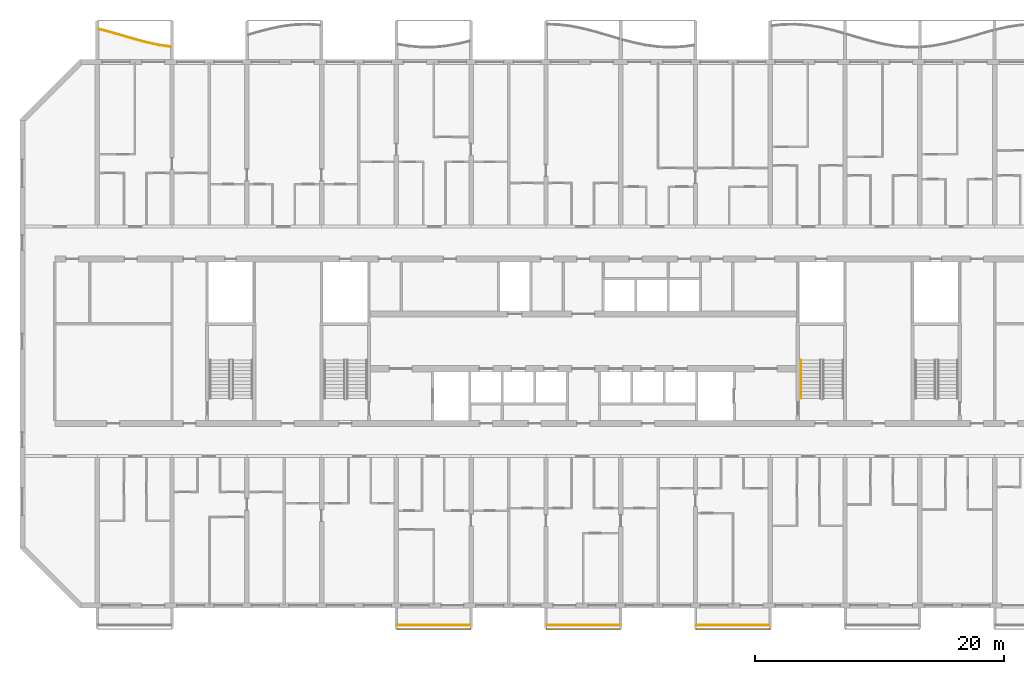
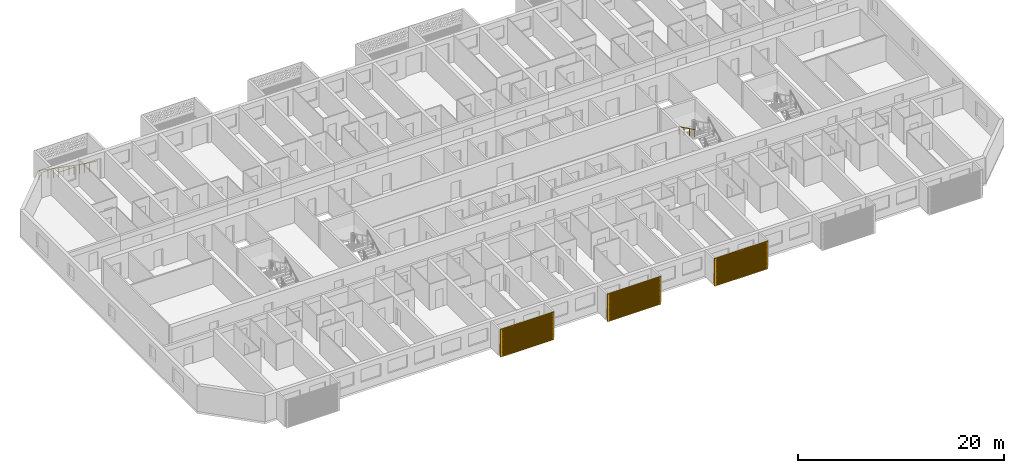
# One storey, part 18 of 30: 5 railings, 3 shading devices.
"""IFC4 building model written with IfcOpenShell, lengths in metres."""

from ifc_helpers import new_model, si_unit, direction, frame, origin, origin_2d, place, context, subcontext, project, spatial, polyline, circle, outline, extrude, source, transform, mapped, material, material_profile, profile_set, type_object, element, save


model = new_model("IFC4")

# Units and contexts
model_context = context("Model", 3, precision=1e-05, world=origin(), true_north=direction((0.0, 1.0)))
body_context = subcontext(model_context, "Body", "Model", "MODEL_VIEW")
ifc_project = project(units=[si_unit("LENGTHUNIT", "METRE"), si_unit("AREAUNIT", "SQUARE_METRE"), si_unit("VOLUMEUNIT", "CUBIC_METRE"), si_unit("PLANEANGLEUNIT", "RADIAN"), si_unit("MASSUNIT", "GRAM", prefix="KILO")], contexts=[model_context])

# Site, building, storey
site_placement = place(None, origin())
site = spatial("IfcSite", under=ifc_project, at=site_placement, CompositionType="ELEMENT")
building_placement = place(site_placement, origin())
building = spatial("IfcBuilding", under=site, at=building_placement, Name="Poui Terraces", CompositionType="ELEMENT")
storey_placement = place(building_placement, frame((0.0, 0.0, 99.300048828125)))
storey = spatial("IfcBuildingStorey", under=building, at=storey_placement, Name="L27", CompositionType="ELEMENT", Elevation=99.300048828125)

# Railings
ifc_material_1 = material(Name="Painted steel fretwork", Category="steel")
railing_type_1 = type_object("IfcRailingType", Name="BALCONY GUARD 1100", PredefinedType="GUARDRAIL", material=ifc_material_1)
railing_1_placement = place(storey_placement, frame((12.125, 46.24072265625, 0.0)))
element("IfcRailing", 1, at=railing_1_placement, inside=storey, type_object=railing_type_1, Name="BALCONY GUARD", PredefinedType="GUARDRAIL", context=body_context, shape_type="SweptSolid", body=[
    extrude(circle(Radius=0.02392578125, at=origin_2d()), frame((0.0, 0.0, 1.076171875), z_axis=(0.967350168879, -0.253443584983, 0.0), x_axis=(0.253443584983, 0.967350168879, 0.0)), (0.0, 0.0, 1.0), 0.904541015625),
    extrude(circle(Radius=0.02392578125, at=origin_2d()), frame((0.875, -0.229248046875, 1.076171875), z_axis=(0.95997899776, -0.280071997637, 0.0), x_axis=(0.280071997637, 0.95997899776, 0.0)), (0.0, 0.0, 1.0), 1.041748046875),
    extrude(circle(Radius=0.02392578125, at=origin_2d()), frame((1.875, -0.52099609375, 1.076171875), z_axis=(0.959410247021, -0.282014144876, 0.0), x_axis=(0.282014144876, 0.959410247021, 0.0)), (0.0, 0.0, 1.0), 1.042236328125),
    extrude(circle(Radius=0.02392578125, at=origin_2d()), frame((2.875, -0.81494140625, 1.076171875), z_axis=(0.966309295868, -0.257383652781, 0.0), x_axis=(0.257383652781, 0.966309295868, 0.0)), (0.0, 0.0, 1.0), 1.034912109375),
    extrude(circle(Radius=0.02392578125, at=origin_2d()), frame((3.875, -1.081298828125, 1.076171875), z_axis=(0.978372019246, -0.206853068522, 0.0), x_axis=(0.206853068522, 0.978372019246, 0.0)), (0.0, 0.0, 1.0), 1.022216796875),
    extrude(circle(Radius=0.02392578125, at=origin_2d()), frame((4.875, -1.292724609375, 1.076171875), z_axis=(0.990370561687, -0.138441867021, 0.0), x_axis=(0.138441867021, 0.990370561687, 0.0)), (0.0, 0.0, 1.0), 0.883544921875),
    extrude(circle(Radius=0.02099609375, at=origin_2d()), origin(), (0.0, 0.0, 1.0), 1.052001953125),
    extrude(circle(Radius=0.02099609375, at=origin_2d()), frame((0.875, -0.229248046875, 0.0)), (0.0, 0.0, 1.0), 1.052001953125),
    extrude(circle(Radius=0.02099609375, at=origin_2d()), frame((1.375, -0.375, 0.0)), (0.0, 0.0, 1.0), 1.052001953125),
    extrude(circle(Radius=0.02099609375, at=origin_2d()), frame((1.875, -0.52099609375, 0.0)), (0.0, 0.0, 1.0), 1.052001953125),
    extrude(circle(Radius=0.02099609375, at=origin_2d()), frame((2.375, -0.66796875, 0.0)), (0.0, 0.0, 1.0), 1.052001953125),
    extrude(circle(Radius=0.02099609375, at=origin_2d()), frame((2.875, -0.81494140625, 0.0)), (0.0, 0.0, 1.0), 1.052001953125),
    extrude(circle(Radius=0.02099609375, at=origin_2d()), frame((3.375, -0.9482421875, 0.0)), (0.0, 0.0, 1.0), 1.052001953125),
    extrude(circle(Radius=0.02099609375, at=origin_2d()), frame((3.875, -1.081298828125, 0.0)), (0.0, 0.0, 1.0), 1.052001953125),
    extrude(circle(Radius=0.02099609375, at=origin_2d()), frame((4.375, -1.18701171875, 0.0)), (0.0, 0.0, 1.0), 1.052001953125),
    extrude(circle(Radius=0.02099609375, at=origin_2d()), frame((4.875, -1.292724609375, 0.0)), (0.0, 0.0, 1.0), 1.052001953125),
    extrude(circle(Radius=0.02099609375, at=origin_2d()), frame((5.75, -1.4150390625, 0.0)), (0.0, 0.0, 1.0), 1.052001953125),
])
for number, where, name in (
    (2, (36.10009765625, -1.570068359375, 0.0), "BALCONY GUARD"),
    (3, (48.10009765625, -1.570068359375, 0.0), "BALCONY GUARD"),
    (4, (60.10009765625, -1.570068359375, 0.0), "BALCONY GUARD"),
):
    element("IfcRailing", number, at=place(storey_placement, frame(where)), inside=storey, type_object=railing_type_1, Name=name, PredefinedType="GUARDRAIL", context=body_context, shape_type="SweptSolid", body=[
        extrude(circle(Radius=0.02392578125, at=origin_2d()), frame((0.0, 0.0, 1.076171875), z_axis=(1.0, 0.0, 0.0), x_axis=(0.0, 1.0, 0.0)), (0.0, 0.0, 1.0), 5.7998046875),
        extrude(circle(Radius=0.02099609375, at=origin_2d()), origin(), (0.0, 0.0, 1.0), 1.052001953125),
        extrude(circle(Radius=0.02099609375, at=origin_2d()), frame((0.966552734375, 0.0, 0.0)), (0.0, 0.0, 1.0), 1.052001953125),
        extrude(circle(Radius=0.02099609375, at=origin_2d()), frame((1.933349609375, 0.0, 0.0)), (0.0, 0.0, 1.0), 1.052001953125),
        extrude(circle(Radius=0.02099609375, at=origin_2d()), frame((2.89990234375, 0.0, 0.0)), (0.0, 0.0, 1.0), 1.052001953125),
        extrude(circle(Radius=0.02099609375, at=origin_2d()), frame((3.866455078125, 0.0, 0.0)), (0.0, 0.0, 1.0), 1.052001953125),
        extrude(circle(Radius=0.02099609375, at=origin_2d()), frame((4.833251953125, 0.0, 0.0)), (0.0, 0.0, 1.0), 1.052001953125),
        extrude(circle(Radius=0.02099609375, at=origin_2d()), frame((5.7998046875, 0.0, 0.0)), (0.0, 0.0, 1.0), 1.052001953125),
    ])
ifc_material_2 = material(Name="Stainless steel handrail", Category="steel")
railing_type_2 = type_object("IfcRailingType", Name="STAIR HANDRAIL 900", PredefinedType="HANDRAIL", material=ifc_material_2)
railing_2_placement = place(storey_placement, frame((68.47509765625, 19.679931640625, 1.787353515625)))
element("IfcRailing", 5, at=railing_2_placement, inside=storey, type_object=railing_type_2, Name="L27 ST-CE stair handrail 2", PredefinedType="HANDRAIL", context=body_context, shape_type="SweptSolid", body=[
    extrude(circle(Radius=0.02392578125, at=origin_2d()), frame((0.0, 0.0, 0.8759765625), z_axis=(0.0, -0.897578036475, 0.440855609512), x_axis=(1.0, 0.0, 0.0)), (0.0, 0.0, 1.0), 3.43115234375),
    extrude(circle(Radius=0.02099609375, at=origin_2d()), origin(), (0.0, 0.0, 1.0), 0.851806640625),
    extrude(circle(Radius=0.02099609375, at=origin_2d()), frame((0.0, -1.026611328125, 0.504150390625)), (0.0, 0.0, 1.0), 0.851806640625),
    extrude(circle(Radius=0.02099609375, at=origin_2d()), frame((0.0, -2.05322265625, 1.008544921875)), (0.0, 0.0, 1.0), 0.851806640625),
    extrude(circle(Radius=0.02099609375, at=origin_2d()), frame((0.0, -3.079833984375, 1.5126953125)), (0.0, 0.0, 1.0), 0.851806640625),
])

# Shading devices
ifc_material_3 = material(Name="Aluminium louvre", Category="aluminium")
ifc_material_profile = material_profile(ifc_material_3, outline(polyline([(-3.0, -1.64990234375), (3.0, -1.64990234375), (3.0, 1.64990234375), (-3.0, 1.64990234375), (-3.0, -1.64990234375)]), holes=[polyline([(-2.800048828125, -1.530029296875), (2.800048828125, -1.530029296875), (2.800048828125, -1.469970703125), (-2.800048828125, -1.469970703125), (-2.800048828125, -1.530029296875)]), polyline([(-2.800048828125, -1.429931640625), (2.800048828125, -1.429931640625), (2.800048828125, -1.3701171875), (-2.800048828125, -1.3701171875), (-2.800048828125, -1.429931640625)]), polyline([(-2.800048828125, -1.330078125), (2.800048828125, -1.330078125), (2.800048828125, -1.27001953125), (-2.800048828125, -1.27001953125), (-2.800048828125, -1.330078125)]), polyline([(-2.800048828125, -1.22998046875), (2.800048828125, -1.22998046875), (2.800048828125, -1.169921875), (-2.800048828125, -1.169921875), (-2.800048828125, -1.22998046875)]), polyline([(-2.800048828125, -1.1298828125), (2.800048828125, -1.1298828125), (2.800048828125, -1.070068359375), (-2.800048828125, -1.070068359375), (-2.800048828125, -1.1298828125)]), polyline([(-2.800048828125, -1.030029296875), (2.800048828125, -1.030029296875), (2.800048828125, -0.969970703125), (-2.800048828125, -0.969970703125), (-2.800048828125, -1.030029296875)]), polyline([(-2.800048828125, -0.929931640625), (2.800048828125, -0.929931640625), (2.800048828125, -0.8701171875), (-2.800048828125, -0.8701171875), (-2.800048828125, -0.929931640625)]), polyline([(-2.800048828125, -0.830078125), (2.800048828125, -0.830078125), (2.800048828125, -0.77001953125), (-2.800048828125, -0.77001953125), (-2.800048828125, -0.830078125)]), polyline([(-2.800048828125, -0.72998046875), (2.800048828125, -0.72998046875), (2.800048828125, -0.669921875), (-2.800048828125, -0.669921875), (-2.800048828125, -0.72998046875)]), polyline([(-2.800048828125, -0.6298828125), (2.800048828125, -0.6298828125), (2.800048828125, -0.570068359375), (-2.800048828125, -0.570068359375), (-2.800048828125, -0.6298828125)]), polyline([(-2.800048828125, -0.530029296875), (2.800048828125, -0.530029296875), (2.800048828125, -0.469970703125), (-2.800048828125, -0.469970703125), (-2.800048828125, -0.530029296875)]), polyline([(-2.800048828125, -0.429931640625), (2.800048828125, -0.429931640625), (2.800048828125, -0.3701171875), (-2.800048828125, -0.3701171875), (-2.800048828125, -0.429931640625)]), polyline([(-2.800048828125, -0.330078125), (2.800048828125, -0.330078125), (2.800048828125, -0.27001953125), (-2.800048828125, -0.27001953125), (-2.800048828125, -0.330078125)]), polyline([(-2.800048828125, -0.22998046875), (2.800048828125, -0.22998046875), (2.800048828125, -0.169921875), (-2.800048828125, -0.169921875), (-2.800048828125, -0.22998046875)]), polyline([(-2.800048828125, -0.1298828125), (2.800048828125, -0.1298828125), (2.800048828125, -0.070068359375), (-2.800048828125, -0.070068359375), (-2.800048828125, -0.1298828125)]), polyline([(-2.800048828125, -0.030029296875), (2.800048828125, -0.030029296875), (2.800048828125, 0.030029296875), (-2.800048828125, 0.030029296875), (-2.800048828125, -0.030029296875)]), polyline([(-2.800048828125, 0.070068359375), (2.800048828125, 0.070068359375), (2.800048828125, 0.1298828125), (-2.800048828125, 0.1298828125), (-2.800048828125, 0.070068359375)]), polyline([(-2.800048828125, 0.169921875), (2.800048828125, 0.169921875), (2.800048828125, 0.22998046875), (-2.800048828125, 0.22998046875), (-2.800048828125, 0.169921875)]), polyline([(-2.800048828125, 0.27001953125), (2.800048828125, 0.27001953125), (2.800048828125, 0.330078125), (-2.800048828125, 0.330078125), (-2.800048828125, 0.27001953125)]), polyline([(-2.800048828125, 0.3701171875), (2.800048828125, 0.3701171875), (2.800048828125, 0.429931640625), (-2.800048828125, 0.429931640625), (-2.800048828125, 0.3701171875)]), polyline([(-2.800048828125, 0.469970703125), (2.800048828125, 0.469970703125), (2.800048828125, 0.530029296875), (-2.800048828125, 0.530029296875), (-2.800048828125, 0.469970703125)]), polyline([(-2.800048828125, 0.570068359375), (2.800048828125, 0.570068359375), (2.800048828125, 0.6298828125), (-2.800048828125, 0.6298828125), (-2.800048828125, 0.570068359375)]), polyline([(-2.800048828125, 0.669921875), (2.800048828125, 0.669921875), (2.800048828125, 0.72998046875), (-2.800048828125, 0.72998046875), (-2.800048828125, 0.669921875)]), polyline([(-2.800048828125, 0.77001953125), (2.800048828125, 0.77001953125), (2.800048828125, 0.830078125), (-2.800048828125, 0.830078125), (-2.800048828125, 0.77001953125)]), polyline([(-2.800048828125, 0.8701171875), (2.800048828125, 0.8701171875), (2.800048828125, 0.929931640625), (-2.800048828125, 0.929931640625), (-2.800048828125, 0.8701171875)]), polyline([(-2.800048828125, 0.969970703125), (2.800048828125, 0.969970703125), (2.800048828125, 1.030029296875), (-2.800048828125, 1.030029296875), (-2.800048828125, 0.969970703125)]), polyline([(-2.800048828125, 1.070068359375), (2.800048828125, 1.070068359375), (2.800048828125, 1.1298828125), (-2.800048828125, 1.1298828125), (-2.800048828125, 1.070068359375)]), polyline([(-2.800048828125, 1.169921875), (2.800048828125, 1.169921875), (2.800048828125, 1.22998046875), (-2.800048828125, 1.22998046875), (-2.800048828125, 1.169921875)]), polyline([(-2.800048828125, 1.27001953125), (2.800048828125, 1.27001953125), (2.800048828125, 1.330078125), (-2.800048828125, 1.330078125), (-2.800048828125, 1.27001953125)]), polyline([(-2.800048828125, 1.3701171875), (2.800048828125, 1.3701171875), (2.800048828125, 1.429931640625), (-2.800048828125, 1.429931640625), (-2.800048828125, 1.3701171875)]), polyline([(-2.800048828125, 1.469970703125), (2.800048828125, 1.469970703125), (2.800048828125, 1.530029296875), (-2.800048828125, 1.530029296875), (-2.800048828125, 1.469970703125)])]), Name="JALOUSIE LOUVRE SHUTTER 6000X3300")
ifc_profile_set = profile_set([ifc_material_profile], Name="Aluminium louvre")
shading_device_type = type_object("IfcShadingDeviceType", Name="JALOUSIE LOUVRE SHUTTER 6000X3300", PredefinedType="JALOUSIE", material=ifc_profile_set)
shared_shape = source(origin(), body_context, "Body", "SweptSolid", [
    extrude(outline(polyline([(-3.0, -1.64990234375), (3.0, -1.64990234375), (3.0, 1.64990234375), (-3.0, 1.64990234375), (-3.0, -1.64990234375)]), holes=[polyline([(-2.800048828125, -1.530029296875), (2.800048828125, -1.530029296875), (2.800048828125, -1.469970703125), (-2.800048828125, -1.469970703125), (-2.800048828125, -1.530029296875)]), polyline([(-2.800048828125, -1.429931640625), (2.800048828125, -1.429931640625), (2.800048828125, -1.3701171875), (-2.800048828125, -1.3701171875), (-2.800048828125, -1.429931640625)]), polyline([(-2.800048828125, -1.330078125), (2.800048828125, -1.330078125), (2.800048828125, -1.27001953125), (-2.800048828125, -1.27001953125), (-2.800048828125, -1.330078125)]), polyline([(-2.800048828125, -1.22998046875), (2.800048828125, -1.22998046875), (2.800048828125, -1.169921875), (-2.800048828125, -1.169921875), (-2.800048828125, -1.22998046875)]), polyline([(-2.800048828125, -1.1298828125), (2.800048828125, -1.1298828125), (2.800048828125, -1.070068359375), (-2.800048828125, -1.070068359375), (-2.800048828125, -1.1298828125)]), polyline([(-2.800048828125, -1.030029296875), (2.800048828125, -1.030029296875), (2.800048828125, -0.969970703125), (-2.800048828125, -0.969970703125), (-2.800048828125, -1.030029296875)]), polyline([(-2.800048828125, -0.929931640625), (2.800048828125, -0.929931640625), (2.800048828125, -0.8701171875), (-2.800048828125, -0.8701171875), (-2.800048828125, -0.929931640625)]), polyline([(-2.800048828125, -0.830078125), (2.800048828125, -0.830078125), (2.800048828125, -0.77001953125), (-2.800048828125, -0.77001953125), (-2.800048828125, -0.830078125)]), polyline([(-2.800048828125, -0.72998046875), (2.800048828125, -0.72998046875), (2.800048828125, -0.669921875), (-2.800048828125, -0.669921875), (-2.800048828125, -0.72998046875)]), polyline([(-2.800048828125, -0.6298828125), (2.800048828125, -0.6298828125), (2.800048828125, -0.570068359375), (-2.800048828125, -0.570068359375), (-2.800048828125, -0.6298828125)]), polyline([(-2.800048828125, -0.530029296875), (2.800048828125, -0.530029296875), (2.800048828125, -0.469970703125), (-2.800048828125, -0.469970703125), (-2.800048828125, -0.530029296875)]), polyline([(-2.800048828125, -0.429931640625), (2.800048828125, -0.429931640625), (2.800048828125, -0.3701171875), (-2.800048828125, -0.3701171875), (-2.800048828125, -0.429931640625)]), polyline([(-2.800048828125, -0.330078125), (2.800048828125, -0.330078125), (2.800048828125, -0.27001953125), (-2.800048828125, -0.27001953125), (-2.800048828125, -0.330078125)]), polyline([(-2.800048828125, -0.22998046875), (2.800048828125, -0.22998046875), (2.800048828125, -0.169921875), (-2.800048828125, -0.169921875), (-2.800048828125, -0.22998046875)]), polyline([(-2.800048828125, -0.1298828125), (2.800048828125, -0.1298828125), (2.800048828125, -0.070068359375), (-2.800048828125, -0.070068359375), (-2.800048828125, -0.1298828125)]), polyline([(-2.800048828125, -0.030029296875), (2.800048828125, -0.030029296875), (2.800048828125, 0.030029296875), (-2.800048828125, 0.030029296875), (-2.800048828125, -0.030029296875)]), polyline([(-2.800048828125, 0.070068359375), (2.800048828125, 0.070068359375), (2.800048828125, 0.1298828125), (-2.800048828125, 0.1298828125), (-2.800048828125, 0.070068359375)]), polyline([(-2.800048828125, 0.169921875), (2.800048828125, 0.169921875), (2.800048828125, 0.22998046875), (-2.800048828125, 0.22998046875), (-2.800048828125, 0.169921875)]), polyline([(-2.800048828125, 0.27001953125), (2.800048828125, 0.27001953125), (2.800048828125, 0.330078125), (-2.800048828125, 0.330078125), (-2.800048828125, 0.27001953125)]), polyline([(-2.800048828125, 0.3701171875), (2.800048828125, 0.3701171875), (2.800048828125, 0.429931640625), (-2.800048828125, 0.429931640625), (-2.800048828125, 0.3701171875)]), polyline([(-2.800048828125, 0.469970703125), (2.800048828125, 0.469970703125), (2.800048828125, 0.530029296875), (-2.800048828125, 0.530029296875), (-2.800048828125, 0.469970703125)]), polyline([(-2.800048828125, 0.570068359375), (2.800048828125, 0.570068359375), (2.800048828125, 0.6298828125), (-2.800048828125, 0.6298828125), (-2.800048828125, 0.570068359375)]), polyline([(-2.800048828125, 0.669921875), (2.800048828125, 0.669921875), (2.800048828125, 0.72998046875), (-2.800048828125, 0.72998046875), (-2.800048828125, 0.669921875)]), polyline([(-2.800048828125, 0.77001953125), (2.800048828125, 0.77001953125), (2.800048828125, 0.830078125), (-2.800048828125, 0.830078125), (-2.800048828125, 0.77001953125)]), polyline([(-2.800048828125, 0.8701171875), (2.800048828125, 0.8701171875), (2.800048828125, 0.929931640625), (-2.800048828125, 0.929931640625), (-2.800048828125, 0.8701171875)]), polyline([(-2.800048828125, 0.969970703125), (2.800048828125, 0.969970703125), (2.800048828125, 1.030029296875), (-2.800048828125, 1.030029296875), (-2.800048828125, 0.969970703125)]), polyline([(-2.800048828125, 1.070068359375), (2.800048828125, 1.070068359375), (2.800048828125, 1.1298828125), (-2.800048828125, 1.1298828125), (-2.800048828125, 1.070068359375)]), polyline([(-2.800048828125, 1.169921875), (2.800048828125, 1.169921875), (2.800048828125, 1.22998046875), (-2.800048828125, 1.22998046875), (-2.800048828125, 1.169921875)]), polyline([(-2.800048828125, 1.27001953125), (2.800048828125, 1.27001953125), (2.800048828125, 1.330078125), (-2.800048828125, 1.330078125), (-2.800048828125, 1.27001953125)]), polyline([(-2.800048828125, 1.3701171875), (2.800048828125, 1.3701171875), (2.800048828125, 1.429931640625), (-2.800048828125, 1.429931640625), (-2.800048828125, 1.3701171875)]), polyline([(-2.800048828125, 1.469970703125), (2.800048828125, 1.469970703125), (2.800048828125, 1.530029296875), (-2.800048828125, 1.530029296875), (-2.800048828125, 1.469970703125)])]), origin(), (0.0, 0.0, 1.0), 0.099853515625),
])
for number, where, z_axis, x_axis, name in (
    (6, (39.0, -1.85009765625, 1.449951171875), (0.0, -1.0, 0.0), (1.0, 0.0, 0.0), "JALOUSIE LOUVRE SHUTTER"),
    (7, (51.0, -1.85009765625, 1.449951171875), (0.0, -1.0, 0.0), (1.0, 0.0, 0.0), "JALOUSIE LOUVRE SHUTTER"),
    (8, (63.0, -1.85009765625, 1.449951171875), (0.0, -1.0, 0.0), (1.0, 0.0, 0.0), "JALOUSIE LOUVRE SHUTTER"),
):
    element("IfcShadingDevice", number, at=place(storey_placement, frame(where, z_axis=z_axis, x_axis=x_axis)), inside=storey, type_object=shading_device_type, Name=name, PredefinedType="JALOUSIE", context=body_context, shape_type="MappedRepresentation", body=[
        mapped(shared_shape, transform((0.0, 0.0, 0.0))),
    ])

save(model, "model.ifc")
